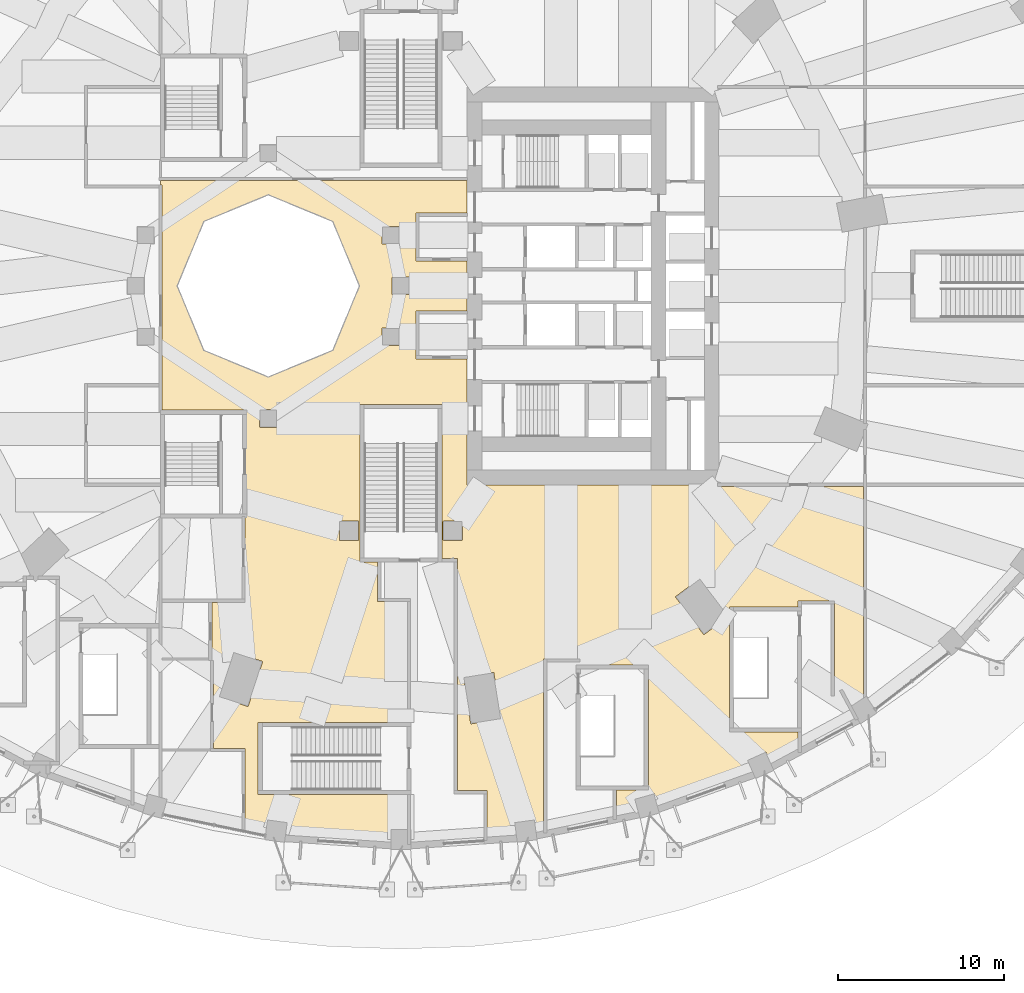
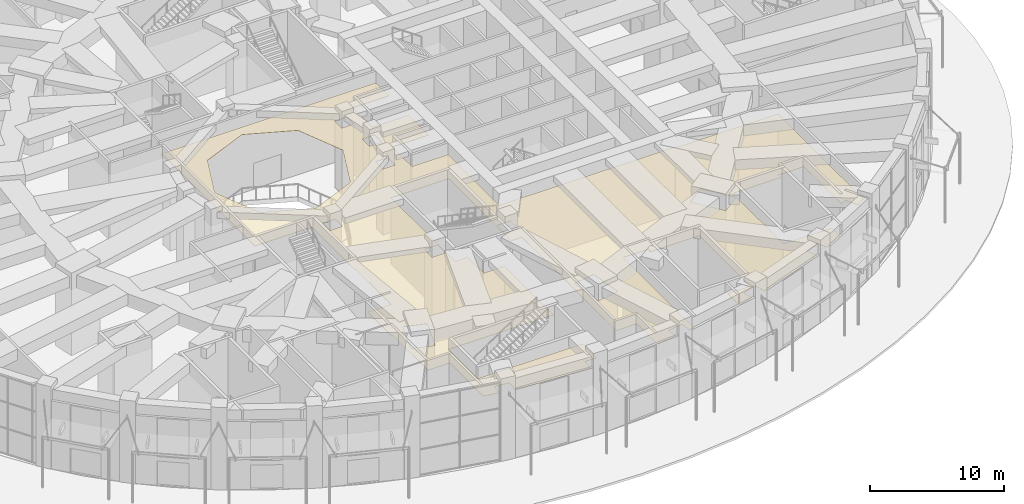
# One storey, part 52 of 60: 1 covering.
"""IFC4 building model written with IfcOpenShell, lengths in metres."""

import ifcopenshell
import ifcopenshell.guid

model = None  # the IFC model being written
_history = None  # IfcOwnerHistory: only IFC2X3 demands one
_inside = {}  # id of a spatial element -> (the spatial element, [elements in it])
_under = {}  # id of a project, library or spatial element -> (it, [spatial elements below it])
_declared = {}  # id of a project -> (the project, [libraries it declares])
_typed = {}  # id of a type object -> (the type object, [elements of that type])
_made_of = {}  # id of a material, layer set ... -> (it, [elements and type objects made of it])


def new_model(schema):
    """Start an empty IFC model of exactly this schema.

    Asked for "IFC4X3", IfcOpenShell would pick the latest addendum, in which some entities
    have other attributes; the version numbers below select the first issue.
    IFC2X3 requires an IfcOwnerHistory on every rooted entity: one is made here for all.
    """
    global model, _history
    if schema == "IFC4X3":
        model = ifcopenshell.file(schema_version=(4, 3, 0, 0))
    else:
        model = ifcopenshell.file(schema=schema)
    _inside.clear()
    _under.clear()
    _declared.clear()
    _typed.clear()
    _made_of.clear()
    _history = None
    if model.schema == "IFC2X3":
        org = make("IfcOrganization", Name="unknown")
        user = make(
            "IfcPersonAndOrganization",
            ThePerson=make("IfcPerson", FamilyName="unknown"),
            TheOrganization=org,
        )
        app = make(
            "IfcApplication",
            ApplicationDeveloper=org,
            Version="unknown",
            ApplicationFullName="unknown",
            ApplicationIdentifier="unknown",
        )
        _history = make(
            "IfcOwnerHistory",
            OwningUser=user,
            OwningApplication=app,
            ChangeAction="ADDED",
            CreationDate=0,
        )
    return model


def make(cls, **values):
    """One entity of the class cls with the attributes given. An attribute that is None is left unset."""
    return model.create_entity(
        cls, **{name: value for name, value in values.items() if value is not None}
    )


def rooted(cls, **values):
    """An entity with a GlobalId (a new one), such as an element, a storey or a relation."""
    return make(cls, GlobalId=ifcopenshell.guid.new(), OwnerHistory=_history, **values)


def si_unit(unit_type, name, prefix=None):
    """IfcSIUnit, for example si_unit("LENGTHUNIT", "METRE", prefix="MILLI")."""
    return make("IfcSIUnit", UnitType=unit_type, Prefix=prefix, Name=name)


def assignment(units):
    """IfcUnitAssignment: the units of a project."""
    return None if units is None else make("IfcUnitAssignment", Units=units)


def point(xyz):
    """IfcCartesianPoint."""
    return None if xyz is None else make("IfcCartesianPoint", Coordinates=xyz)


def direction(xyz):
    """IfcDirection."""
    return None if xyz is None else make("IfcDirection", DirectionRatios=xyz)


def frame(location, z_axis=None, x_axis=None):
    """IfcAxis2Placement3D, a coordinate frame: its origin and axes. An axis left out is left unset."""
    return make(
        "IfcAxis2Placement3D",
        Location=point(location),
        Axis=direction(z_axis),
        RefDirection=direction(x_axis),
    )


def origin():
    """The frame at (0, 0, 0) with its axes left unset."""
    return frame((0.0, 0.0, 0.0))


def place(relative_to, where):
    """IfcLocalPlacement: puts the frame where relative to a parent placement (None: the world)."""
    return make(
        "IfcLocalPlacement", PlacementRelTo=relative_to, RelativePlacement=where
    )


def context(
    kind, dimensions, precision=None, world=None, true_north=None, identifier=None
):
    """IfcGeometricRepresentationContext, for example the 3D "Model" context."""
    return make(
        "IfcGeometricRepresentationContext",
        ContextIdentifier=identifier,
        ContextType=kind,
        CoordinateSpaceDimension=dimensions,
        Precision=precision,
        WorldCoordinateSystem=world,
        TrueNorth=true_north,
    )


def subcontext(parent, identifier, kind, view, scale=None):
    """IfcGeometricRepresentationSubContext, for example "Body" below "Model"."""
    return make(
        "IfcGeometricRepresentationSubContext",
        ContextIdentifier=identifier,
        ContextType=kind,
        ParentContext=parent,
        TargetScale=scale,
        TargetView=view,
    )


def project(units=None, contexts=None):
    """IfcProject with its units and contexts."""
    return rooted(
        "IfcProject",
        Name="project",
        RepresentationContexts=contexts,
        UnitsInContext=assignment(units),
    )


def spatial(cls, under=None, at=None, **own):
    """A site, building, storey or space (cls), placed at a placement, below another one or the project."""
    s = rooted(cls, ObjectPlacement=at, **own)
    if under is not None:
        _under.setdefault(under.id(), (under, []))[1].append(s)
    return s


def polyline(points):
    """IfcPolyline through the points."""
    return make("IfcPolyline", Points=[point(p) for p in points])


def outline(outer, holes=None, kind="AREA"):
    """IfcArbitraryClosedProfileDef: a profile drawn as a closed curve; with holes, ...WithVoids."""
    if holes is None:
        return make("IfcArbitraryClosedProfileDef", ProfileType=kind, OuterCurve=outer)
    return make(
        "IfcArbitraryProfileDefWithVoids",
        ProfileType=kind,
        OuterCurve=outer,
        InnerCurves=holes,
    )


def extrude(swept, where, along, depth):
    """IfcExtrudedAreaSolid: the profile swept, set in the frame where, extruded along a direction by depth."""
    return make(
        "IfcExtrudedAreaSolid",
        SweptArea=swept,
        Position=where,
        ExtrudedDirection=direction(along),
        Depth=depth,
    )


def shape(context_of_items, identifier, shape_type, items):
    """IfcShapeRepresentation: the items that make up one representation, for example the "Body"."""
    return make(
        "IfcShapeRepresentation",
        ContextOfItems=context_of_items,
        RepresentationIdentifier=identifier,
        RepresentationType=shape_type,
        Items=items,
    )


def material(Name=None, Category=None):
    """IfcMaterial."""
    return make("IfcMaterial", Name=Name, Category=Category)


def layer(
    of_material, thickness, ventilated=None, Name=None, Category=None, Priority=None
):
    """IfcMaterialLayer: one layer of a wall or slab, of a material (None: an air gap)."""
    return make(
        "IfcMaterialLayer",
        Material=of_material,
        LayerThickness=thickness,
        IsVentilated=ventilated,
        Name=Name,
        Category=Category,
        Priority=Priority,
    )


def layer_set(layers, Name=None):
    """IfcMaterialLayerSet."""
    return make("IfcMaterialLayerSet", MaterialLayers=layers, LayerSetName=Name)


def made_of(thing, what):
    """Note that an element or type object is made of a material, layer set ...; save() writes the relation."""
    if what is not None:
        _made_of.setdefault(what.id(), (what, []))[1].append(thing)
    return thing


def type_object(cls, material=None, **own):
    """A type object (cls), such as IfcWallType, which elements share."""
    return made_of(rooted(cls, **own), material)


def element(
    cls,
    number,
    at=None,
    inside=None,
    cuts=None,
    type_object=None,
    material=None,
    context=None,
    identifier="Body",
    shape_type=None,
    held_by="IfcProductDefinitionShape",
    body=None,
    shapes=None,
    **own,
):
    """One element of the class cls, such as IfcWall. Its Tag is "e" and its number.

    at: its placement. inside: the storey or other place that contains it. cuts: it is an
    opening in that element (IfcRelVoidsElement). A single representation is given by context,
    identifier, shape_type and body (its items); several are given by shapes. held_by: the class
    of the entity that holds the representations. save() writes the other relations.
    """
    e = rooted(cls, Tag="e%d" % number, ObjectPlacement=at, **own)
    if body is not None:
        shapes = [shape(context, identifier, shape_type, body)]
    if shapes is not None:
        e.Representation = make(held_by, Representations=shapes)
    if inside is not None:
        _inside.setdefault(inside.id(), (inside, []))[1].append(e)
    if cuts is not None:
        rooted(
            "IfcRelVoidsElement", RelatingBuildingElement=cuts, RelatedOpeningElement=e
        )
    if type_object is not None:
        _typed.setdefault(type_object.id(), (type_object, []))[1].append(e)
    return made_of(e, material)


def aggregate(whole, parts):
    """IfcRelAggregates: a whole, such as a stair, and the parts it consists of."""
    return rooted("IfcRelAggregates", RelatingObject=whole, RelatedObjects=parts)


def save(model, path):
    """Write the relations noted so far, then the file.

    IfcRelAggregates (storeys below a building ...), IfcRelContainedInSpatialStructure (elements
    in a storey), IfcRelDefinesByType, IfcRelAssociatesMaterial and IfcRelDeclares: one each for
    every whole, place, type object, material and project.
    """
    for whole, parts in _under.values():
        aggregate(whole, parts)
    for where, things in _inside.values():
        rooted(
            "IfcRelContainedInSpatialStructure",
            RelatedElements=things,
            RelatingStructure=where,
        )
    for kind, things in _typed.values():
        rooted("IfcRelDefinesByType", RelatedObjects=things, RelatingType=kind)
    for what, things in _made_of.values():
        rooted("IfcRelAssociatesMaterial", RelatedObjects=things, RelatingMaterial=what)
    for by, libraries in _declared.values():
        rooted("IfcRelDeclares", RelatingContext=by, RelatedDefinitions=libraries)
    model.write(path)


model = new_model("IFC4")

# Units and contexts
model_context = context("Model", 3, precision=1e-05, world=origin(), true_north=direction((0.0, 1.0)))
body_context = subcontext(model_context, "Body", "Model", "MODEL_VIEW")
ifc_project = project(units=[si_unit("LENGTHUNIT", "METRE"), si_unit("AREAUNIT", "SQUARE_METRE"), si_unit("VOLUMEUNIT", "CUBIC_METRE"), si_unit("PLANEANGLEUNIT", "RADIAN"), si_unit("MASSUNIT", "GRAM", prefix="KILO")], contexts=[model_context])

# Site, building, storey
site_placement = place(None, origin())
site = spatial("IfcSite", under=ifc_project, at=site_placement, CompositionType="ELEMENT")
building_placement = place(site_placement, origin())
building = spatial("IfcBuilding", under=site, at=building_placement, Name="Taillehof Tower", CompositionType="ELEMENT")
storey_placement = place(building_placement, origin())
storey = spatial("IfcBuildingStorey", under=building, at=storey_placement, Name="L00", CompositionType="ELEMENT", Elevation=0.0)

# Covering
ifc_material = material(Name="Mineral fibre ceiling tiles")
ifc_layer = layer(ifc_material, 0.030029296875)
ifc_layer_set = layer_set([ifc_layer], Name="Suspended ceiling 30 mm")
covering_type = type_object("IfcCoveringType", Name="Suspended ceiling 30 mm", PredefinedType="CEILING", material=ifc_layer_set)
covering_placement = place(storey_placement, frame((0.0, 0.0, 6.010009765625)))
element("IfcCovering", 1, at=covering_placement, inside=storey, type_object=covering_type, Name="Ceiling L00-36", PredefinedType="CEILING", context=body_context, shape_type="SweptSolid", body=[
    extrude(outline(polyline([(-3.806640625, -33.572021484375), (-6.94970703125, -33.253173828125), (-6.8310546875, -32.383056640625), (-6.830810546875, -32.380126953125), (-6.830810546875, -32.377197265625), (-6.831298828125, -32.374267578125), (-6.831787109375, -32.371337890625), (-6.832763671875, -32.36865234375), (-6.833740234375, -32.365966796875), (-6.835205078125, -32.36328125), (-6.8369140625, -32.36083984375), (-6.8388671875, -32.358642578125), (-6.8408203125, -32.356689453125), (-6.84326171875, -32.354736328125), (-6.845703125, -32.353271484375), (-6.848388671875, -32.351806640625), (-6.85107421875, -32.350830078125), (-6.853759765625, -32.349853515625), (-6.856689453125, -32.349365234375), (-8.0458984375, -32.187255859375), (-8.048828125, -32.18701171875), (-8.0517578125, -32.18701171875), (-8.0546875, -32.1875), (-8.057373046875, -32.18798828125), (-8.060302734375, -32.18896484375), (-8.06298828125, -32.190185546875), (-8.065673828125, -32.19140625), (-8.06787109375, -32.193115234375), (-8.0703125, -32.195068359375), (-8.072265625, -32.197265625), (-8.07421875, -32.199462890625), (-8.07568359375, -32.201904296875), (-8.0771484375, -32.20458984375), (-8.078125, -32.207275390625), (-8.0791015625, -32.210205078125), (-8.07958984375, -32.213134765625), (-8.1982421875, -33.083740234375), (-9.39990234375, -32.87841796875), (-9.39990234375, -28.10009765625), (-9.39990234375, -27.89990234375), (-11.300048828125, -27.89990234375), (-11.300048828125, -22.60009765625), (-11.39990234375, -22.60009765625), (-11.39990234375, -22.5), (-11.39990234375, -19.10009765625), (-9.39990234375, -19.10009765625), (-9.39990234375, -18.89990234375), (-9.39990234375, -13.89990234375), (-9.5, -13.89990234375), (-9.5, -7.5), (-14.39990234375, -7.5), (-14.39990234375, -6.10009765625), (-14.39990234375, 6.10009765625), (-14.5, 6.10009765625), (-14.5, 6.35009765625), (4.0, 6.35009765625), (4.0, 4.39990234375), (1.10009765625, 4.39990234375), (0.89990234375, 4.39990234375), (0.89990234375, 1.699951171875), (0.89990234375, 1.5), (4.0, 1.5), (4.0, -1.5), (1.10009765625, -1.5), (0.89990234375, -1.5), (0.89990234375, -4.199951171875), (0.89990234375, -4.39990234375), (4.0, -4.39990234375), (4.0, -12.0), (19.10009765625, -12.0), (19.10009765625, -12.10009765625), (27.89990234375, -12.10009765625), (27.89990234375, -24.8330078125), (27.16064453125, -25.3125), (26.633056640625, -24.333740234375), (26.544921875, -24.381103515625), (26.14990234375, -24.593994140625), (26.14990234375, -19.199951171875), (26.14990234375, -19.0), (24.14990234375, -19.0), (23.949951171875, -19.0), (23.949951171875, -19.375), (20.074951171875, -19.375), (19.824951171875, -19.375), (19.824951171875, -26.6650390625), (19.824951171875, -26.9150390625), (23.949951171875, -26.9150390625), (23.949951171875, -28.154296875), (22.387939453125, -28.921142578125), (22.031005859375, -28.12060546875), (22.029541015625, -28.117919921875), (22.028076171875, -28.115478515625), (22.026123046875, -28.11328125), (22.024169921875, -28.111083984375), (22.02197265625, -28.109130859375), (22.01953125, -28.107421875), (22.016845703125, -28.10595703125), (22.01416015625, -28.104736328125), (22.011474609375, -28.10400390625), (22.008544921875, -28.103271484375), (22.005615234375, -28.10302734375), (22.002685546875, -28.102783203125), (21.999755859375, -28.10302734375), (21.996826171875, -28.103515625), (21.993896484375, -28.1044921875), (21.9912109375, -28.10546875), (20.895263671875, -28.594482421875), (20.892822265625, -28.595703125), (20.890380859375, -28.59716796875), (20.887939453125, -28.59912109375), (20.8857421875, -28.60107421875), (20.8837890625, -28.603271484375), (20.88232421875, -28.605712890625), (20.880859375, -28.6083984375), (20.879638671875, -28.611083984375), (20.878662109375, -28.61376953125), (20.8779296875, -28.61669921875), (20.877685546875, -28.61962890625), (20.877685546875, -28.62255859375), (20.8779296875, -28.62548828125), (20.87841796875, -28.62841796875), (20.879150390625, -28.63134765625), (20.880126953125, -28.634033203125), (21.236328125, -29.432373046875), (18.4599609375, -30.546142578125), (15.525390625, -31.48291015625), (15.28759765625, -30.6376953125), (15.286865234375, -30.634765625), (15.28564453125, -30.632080078125), (15.2841796875, -30.629638671875), (15.282470703125, -30.627197265625), (15.280517578125, -30.625), (15.2783203125, -30.622802734375), (15.27587890625, -30.62109375), (15.2734375, -30.61962890625), (15.270751953125, -30.6181640625), (15.26806640625, -30.6171875), (15.265380859375, -30.616455078125), (15.262451171875, -30.615966796875), (15.259521484375, -30.61572265625), (15.256591796875, -30.61572265625), (15.253662109375, -30.6162109375), (15.250732421875, -30.61669921875), (14.095458984375, -30.941650390625), (14.0927734375, -30.942626953125), (14.090087890625, -30.94384765625), (14.08740234375, -30.9453125), (14.0849609375, -30.947021484375), (14.082763671875, -30.948974609375), (14.080810546875, -30.951171875), (14.0791015625, -30.953369140625), (14.077392578125, -30.955810546875), (14.076171875, -30.95849609375), (14.0751953125, -30.961181640625), (14.07421875, -30.964111328125), (14.07373046875, -30.967041015625), (14.07373046875, -30.969970703125), (14.07373046875, -30.972900390625), (14.07421875, -30.975830078125), (14.07470703125, -30.978759765625), (14.31201171875, -31.822265625), (12.99853515625, -32.1416015625), (12.99853515625, -30.4150390625), (14.925048828125, -30.4150390625), (14.925048828125, -30.1650390625), (14.925048828125, -23.125), (14.925048828125, -22.875), (10.699951171875, -22.875), (10.699951171875, -22.699951171875), (10.800048828125, -22.699951171875), (10.800048828125, -22.5), (8.800048828125, -22.5), (8.60009765625, -22.5), (8.60009765625, -33.01513671875), (8.1982421875, -33.083740234375), (8.07958984375, -32.213134765625), (8.0791015625, -32.210205078125), (8.078125, -32.207275390625), (8.0771484375, -32.20458984375), (8.07568359375, -32.201904296875), (8.07421875, -32.199462890625), (8.072265625, -32.197265625), (8.0703125, -32.195068359375), (8.06787109375, -32.193115234375), (8.065673828125, -32.19140625), (8.06298828125, -32.190185546875), (8.060302734375, -32.18896484375), (8.057373046875, -32.18798828125), (8.0546875, -32.1875), (8.0517578125, -32.18701171875), (8.048828125, -32.18701171875), (8.0458984375, -32.187255859375), (6.856689453125, -32.349365234375), (6.853759765625, -32.349853515625), (6.85107421875, -32.350830078125), (6.848388671875, -32.351806640625), (6.845703125, -32.353271484375), (6.84326171875, -32.354736328125), (6.8408203125, -32.356689453125), (6.8388671875, -32.358642578125), (6.8369140625, -32.36083984375), (6.835205078125, -32.36328125), (6.833740234375, -32.365966796875), (6.832763671875, -32.36865234375), (6.831787109375, -32.371337890625), (6.831298828125, -32.374267578125), (6.830810546875, -32.377197265625), (6.830810546875, -32.380126953125), (6.8310546875, -32.383056640625), (6.94970703125, -33.253173828125), (5.199951171875, -33.4306640625), (5.199951171875, -30.64990234375), (5.199951171875, -30.449951171875), (3.39990234375, -30.449951171875), (3.39990234375, -16.64501953125), (3.39990234375, -16.445068359375), (2.47509765625, -16.445068359375), (2.47509765625, -7.39990234375), (2.47509765625, -7.14990234375), (-2.22509765625, -7.14990234375), (-2.22509765625, -7.14990234375), (-2.47509765625, -7.14990234375), (-2.47509765625, -16.419921875), (-2.47509765625, -16.669921875), (-1.39990234375, -16.669921875), (-1.39990234375, -18.844970703125), (-1.39990234375, -19.044921875), (0.385009765625, -19.044921875), (0.385009765625, -26.324951171875), (-8.360107421875, -26.324951171875), (-8.610107421875, -26.324951171875), (-8.610107421875, -30.425048828125), (-8.610107421875, -30.675048828125), (0.385009765625, -30.675048828125), (0.385009765625, -32.77001953125), (-0.60009765625, -32.77001953125), (-0.60302734375, -32.770263671875), (-0.60595703125, -32.7705078125), (-0.608642578125, -32.771240234375), (-0.611572265625, -32.772216796875), (-0.6142578125, -32.7734375), (-0.61669921875, -32.775146484375), (-0.619140625, -32.77685546875), (-0.62109375, -32.77880859375), (-0.623291015625, -32.781005859375), (-0.625, -32.783447265625), (-0.62646484375, -32.785888671875), (-0.627685546875, -32.78857421875), (-0.628662109375, -32.791259765625), (-0.62939453125, -32.794189453125), (-0.6298828125, -32.797119140625), (-0.6298828125, -32.800048828125), (-0.6298828125, -33.678955078125), (-3.806640625, -33.572021484375)]), holes=[polyline([(-13.5, 0.0), (-11.88916015625, -3.88916015625), (-8.0, -5.5), (-4.11083984375, -3.88916015625), (-2.5, 0.0), (-4.11083984375, 3.88916015625), (-8.0, 5.5), (-11.88916015625, 3.88916015625), (-13.5, 0.0)]), polyline([(3.768798828125, -23.6171875), (3.768310546875, -23.619873046875), (3.76806640625, -23.622802734375), (3.76806640625, -23.6259765625), (3.768310546875, -23.62890625), (4.20556640625, -26.39453125), (4.2060546875, -26.397216796875), (4.20703125, -26.400146484375), (4.208251953125, -26.40283203125), (4.209716796875, -26.405517578125), (4.211181640625, -26.407958984375), (4.213134765625, -26.41015625), (4.21533203125, -26.412109375), (4.217529296875, -26.4140625), (4.219970703125, -26.41552734375), (4.22265625, -26.4169921875), (4.225341796875, -26.418212890625), (4.228271484375, -26.4189453125), (4.231201171875, -26.41943359375), (4.234130859375, -26.419677734375), (4.237060546875, -26.419677734375), (4.239990234375, -26.41943359375), (6.017822265625, -26.138427734375), (6.020751953125, -26.1376953125), (6.0234375, -26.13671875), (6.026123046875, -26.1357421875), (6.02880859375, -26.13427734375), (6.03125, -26.132568359375), (6.033447265625, -26.130615234375), (6.03564453125, -26.128662109375), (6.037353515625, -26.126220703125), (6.0390625, -26.123779296875), (6.040283203125, -26.121337890625), (6.04150390625, -26.118408203125), (6.042236328125, -26.11572265625), (6.042724609375, -26.11279296875), (6.043212890625, -26.10986328125), (6.04296875, -26.10693359375), (6.042724609375, -26.10400390625), (5.60546875, -23.33837890625), (5.60498046875, -23.33544921875), (5.60400390625, -23.332763671875), (5.60302734375, -23.329833984375), (5.6015625, -23.327392578125), (5.599853515625, -23.324951171875), (5.597900390625, -23.32275390625), (5.595947265625, -23.320556640625), (5.593505859375, -23.31884765625), (5.591064453125, -23.317138671875), (5.58837890625, -23.315673828125), (5.585693359375, -23.314697265625), (5.5830078125, -23.31396484375), (5.580078125, -23.313232421875), (5.5771484375, -23.31298828125), (5.57421875, -23.31298828125), (5.5712890625, -23.3134765625), (3.793212890625, -23.594482421875), (3.79052734375, -23.594970703125), (3.78759765625, -23.595947265625), (3.784912109375, -23.59716796875), (3.7822265625, -23.5986328125), (3.77978515625, -23.60009765625), (3.777587890625, -23.60205078125), (3.775634765625, -23.604248046875), (3.773681640625, -23.6064453125), (3.772216796875, -23.60888671875), (3.770751953125, -23.611572265625), (3.76953125, -23.6142578125), (3.768798828125, -23.6171875)]), polyline([(-10.106201171875, -22.09765625), (-10.10791015625, -22.099853515625), (-10.109619140625, -22.1025390625), (-10.11083984375, -22.10498046875), (-10.11181640625, -22.10791015625), (-10.98046875, -24.769775390625), (-10.981201171875, -24.7724609375), (-10.981689453125, -24.775390625), (-10.98193359375, -24.7783203125), (-10.98193359375, -24.78125), (-10.9814453125, -24.7841796875), (-10.98095703125, -24.787109375), (-10.97998046875, -24.789794921875), (-10.978759765625, -24.79248046875), (-10.977294921875, -24.795166015625), (-10.9755859375, -24.797607421875), (-10.9736328125, -24.7998046875), (-10.971435546875, -24.8017578125), (-10.96923828125, -24.803466796875), (-10.966552734375, -24.80517578125), (-10.964111328125, -24.806396484375), (-10.961181640625, -24.807373046875), (-9.25, -25.365966796875), (-9.247314453125, -25.36669921875), (-9.244384765625, -25.3671875), (-9.241455078125, -25.367431640625), (-9.238525390625, -25.3671875), (-9.235595703125, -25.366943359375), (-9.232666015625, -25.3662109375), (-9.22998046875, -25.365234375), (-9.227294921875, -25.364013671875), (-9.224609375, -25.362548828125), (-9.22216796875, -25.36083984375), (-9.219970703125, -25.359130859375), (-9.218017578125, -25.35693359375), (-9.21630859375, -25.3544921875), (-9.214599609375, -25.35205078125), (-9.21337890625, -25.349365234375), (-9.212158203125, -25.3466796875), (-8.34375, -22.684814453125), (-8.3427734375, -22.681884765625), (-8.34228515625, -22.678955078125), (-8.34228515625, -22.676025390625), (-8.34228515625, -22.673095703125), (-8.342529296875, -22.670166015625), (-8.34326171875, -22.66748046875), (-8.34423828125, -22.66455078125), (-8.345458984375, -22.661865234375), (-8.346923828125, -22.659423828125), (-8.3486328125, -22.656982421875), (-8.3505859375, -22.65478515625), (-8.3525390625, -22.65283203125), (-8.35498046875, -22.65087890625), (-8.357421875, -22.6494140625), (-8.360107421875, -22.64794921875), (-8.36279296875, -22.64697265625), (-10.073974609375, -22.088623046875), (-10.076904296875, -22.087890625), (-10.079833984375, -22.08740234375), (-10.082763671875, -22.087158203125), (-10.085693359375, -22.087158203125), (-10.088623046875, -22.087646484375), (-10.091552734375, -22.088134765625), (-10.09423828125, -22.089111328125), (-10.096923828125, -22.09033203125), (-10.099609375, -22.091796875), (-10.101806640625, -22.093505859375), (-10.10400390625, -22.095458984375), (-10.106201171875, -22.09765625)]), polyline([(-3.687255859375, -15.349853515625), (-3.684326171875, -15.350830078125), (-3.681640625, -15.3515625), (-3.6787109375, -15.35205078125), (-3.67578125, -15.35205078125), (-2.57568359375, -15.35205078125), (-2.57275390625, -15.35205078125), (-2.56982421875, -15.3515625), (-2.56689453125, -15.350830078125), (-2.564208984375, -15.349853515625), (-2.5615234375, -15.3486328125), (-2.55908203125, -15.34716796875), (-2.556640625, -15.34521484375), (-2.554443359375, -15.34326171875), (-2.552490234375, -15.341064453125), (-2.55078125, -15.3388671875), (-2.54931640625, -15.336181640625), (-2.5478515625, -15.33349609375), (-2.546875, -15.330810546875), (-2.546142578125, -15.327880859375), (-2.5458984375, -15.324951171875), (-2.545654296875, -15.322021484375), (-2.545654296875, -14.22216796875), (-2.5458984375, -14.21923828125), (-2.546142578125, -14.21630859375), (-2.546875, -14.21337890625), (-2.5478515625, -14.210693359375), (-2.54931640625, -14.2080078125), (-2.55078125, -14.20556640625), (-2.552490234375, -14.203125), (-2.554443359375, -14.200927734375), (-2.556640625, -14.198974609375), (-2.55908203125, -14.197265625), (-2.5615234375, -14.195556640625), (-2.564208984375, -14.1943359375), (-2.56689453125, -14.193359375), (-2.56982421875, -14.192626953125), (-2.57275390625, -14.1923828125), (-2.57568359375, -14.192138671875), (-3.67578125, -14.192138671875), (-3.6787109375, -14.1923828125), (-3.681640625, -14.192626953125), (-3.684326171875, -14.193359375), (-3.687255859375, -14.1943359375), (-3.689697265625, -14.195556640625), (-3.6923828125, -14.197265625), (-3.694580078125, -14.198974609375), (-3.69677734375, -14.200927734375), (-3.698974609375, -14.203125), (-3.70068359375, -14.20556640625), (-3.7021484375, -14.2080078125), (-3.703369140625, -14.210693359375), (-3.704345703125, -14.21337890625), (-3.705078125, -14.21630859375), (-3.70556640625, -14.21923828125), (-3.70556640625, -14.22216796875), (-3.70556640625, -15.322021484375), (-3.70556640625, -15.324951171875), (-3.705078125, -15.327880859375), (-3.704345703125, -15.330810546875), (-3.703369140625, -15.33349609375), (-3.7021484375, -15.336181640625), (-3.70068359375, -15.3388671875), (-3.698974609375, -15.341064453125), (-3.69677734375, -15.34326171875), (-3.694580078125, -15.34521484375), (-3.6923828125, -15.34716796875), (-3.689697265625, -15.3486328125), (-3.687255859375, -15.349853515625)]), polyline([(2.564208984375, -15.349853515625), (2.56689453125, -15.350830078125), (2.56982421875, -15.3515625), (2.57275390625, -15.35205078125), (2.57568359375, -15.35205078125), (3.67578125, -15.35205078125), (3.6787109375, -15.35205078125), (3.681640625, -15.3515625), (3.684326171875, -15.350830078125), (3.687255859375, -15.349853515625), (3.689697265625, -15.3486328125), (3.6923828125, -15.34716796875), (3.694580078125, -15.34521484375), (3.69677734375, -15.34326171875), (3.698974609375, -15.341064453125), (3.70068359375, -15.3388671875), (3.7021484375, -15.336181640625), (3.703369140625, -15.33349609375), (3.704345703125, -15.330810546875), (3.705078125, -15.327880859375), (3.70556640625, -15.324951171875), (3.70556640625, -15.322021484375), (3.70556640625, -14.22216796875), (3.70556640625, -14.21923828125), (3.705078125, -14.21630859375), (3.704345703125, -14.21337890625), (3.703369140625, -14.210693359375), (3.7021484375, -14.2080078125), (3.70068359375, -14.20556640625), (3.698974609375, -14.203125), (3.69677734375, -14.200927734375), (3.694580078125, -14.198974609375), (3.6923828125, -14.197265625), (3.689697265625, -14.195556640625), (3.687255859375, -14.1943359375), (3.684326171875, -14.193359375), (3.681640625, -14.192626953125), (3.6787109375, -14.1923828125), (3.67578125, -14.192138671875), (2.57568359375, -14.192138671875), (2.57275390625, -14.1923828125), (2.56982421875, -14.192626953125), (2.56689453125, -14.193359375), (2.564208984375, -14.1943359375), (2.5615234375, -14.195556640625), (2.55908203125, -14.197265625), (2.556640625, -14.198974609375), (2.554443359375, -14.200927734375), (2.552490234375, -14.203125), (2.55078125, -14.20556640625), (2.54931640625, -14.2080078125), (2.5478515625, -14.210693359375), (2.546875, -14.21337890625), (2.546142578125, -14.21630859375), (2.5458984375, -14.21923828125), (2.545654296875, -14.22216796875), (2.545654296875, -15.322021484375), (2.5458984375, -15.324951171875), (2.546142578125, -15.327880859375), (2.546875, -15.330810546875), (2.5478515625, -15.33349609375), (2.54931640625, -15.336181640625), (2.55078125, -15.3388671875), (2.552490234375, -15.341064453125), (2.554443359375, -15.34326171875), (2.556640625, -15.34521484375), (2.55908203125, -15.34716796875), (2.5615234375, -15.3486328125), (2.564208984375, -15.349853515625)]), polyline([(-8.511474609375, -8.52783203125), (-8.5087890625, -8.52880859375), (-8.505859375, -8.529541015625), (-8.5029296875, -8.52978515625), (-8.5, -8.530029296875), (-7.5, -8.530029296875), (-7.4970703125, -8.52978515625), (-7.494140625, -8.529541015625), (-7.4912109375, -8.52880859375), (-7.488525390625, -8.52783203125), (-7.48583984375, -8.5263671875), (-7.4833984375, -8.52490234375), (-7.48095703125, -8.523193359375), (-7.478759765625, -8.521240234375), (-7.476806640625, -8.51904296875), (-7.47509765625, -8.5166015625), (-7.4736328125, -8.51416015625), (-7.47216796875, -8.511474609375), (-7.47119140625, -8.5087890625), (-7.470458984375, -8.505859375), (-7.47021484375, -8.5029296875), (-7.469970703125, -8.5), (-7.469970703125, -7.5), (-7.47021484375, -7.4970703125), (-7.470458984375, -7.494140625), (-7.47119140625, -7.4912109375), (-7.47216796875, -7.488525390625), (-7.4736328125, -7.48583984375), (-7.47509765625, -7.4833984375), (-7.476806640625, -7.48095703125), (-7.478759765625, -7.478759765625), (-7.48095703125, -7.476806640625), (-7.4833984375, -7.47509765625), (-7.48583984375, -7.4736328125), (-7.488525390625, -7.47216796875), (-7.4912109375, -7.47119140625), (-7.494140625, -7.470458984375), (-7.4970703125, -7.47021484375), (-7.5, -7.469970703125), (-8.5, -7.469970703125), (-8.5029296875, -7.47021484375), (-8.505859375, -7.470458984375), (-8.5087890625, -7.47119140625), (-8.511474609375, -7.47216796875), (-8.51416015625, -7.4736328125), (-8.5166015625, -7.47509765625), (-8.51904296875, -7.476806640625), (-8.521240234375, -7.478759765625), (-8.523193359375, -7.48095703125), (-8.52490234375, -7.4833984375), (-8.5263671875, -7.48583984375), (-8.52783203125, -7.488525390625), (-8.52880859375, -7.4912109375), (-8.529541015625, -7.494140625), (-8.52978515625, -7.4970703125), (-8.530029296875, -7.5), (-8.530029296875, -8.5), (-8.52978515625, -8.5029296875), (-8.529541015625, -8.505859375), (-8.52880859375, -8.5087890625), (-8.52783203125, -8.511474609375), (-8.5263671875, -8.51416015625), (-8.52490234375, -8.5166015625), (-8.523193359375, -8.51904296875), (-8.521240234375, -8.521240234375), (-8.51904296875, -8.523193359375), (-8.5166015625, -8.52490234375), (-8.51416015625, -8.5263671875), (-8.511474609375, -8.52783203125)]), polyline([(-1.120361328125, -3.589111328125), (-1.11767578125, -3.590087890625), (-1.11474609375, -3.5908203125), (-1.11181640625, -3.59130859375), (-1.10888671875, -3.591552734375), (-0.10888671875, -3.591552734375), (-0.10595703125, -3.59130859375), (-0.10302734375, -3.5908203125), (-0.100341796875, -3.590087890625), (-0.097412109375, -3.589111328125), (-0.0947265625, -3.587890625), (-0.09228515625, -3.58642578125), (-0.08984375, -3.584716796875), (-0.087646484375, -3.582763671875), (-0.085693359375, -3.58056640625), (-0.083984375, -3.578125), (-0.08251953125, -3.57568359375), (-0.081298828125, -3.572998046875), (-0.080322265625, -3.570068359375), (-0.07958984375, -3.5673828125), (-0.0791015625, -3.564453125), (-0.078857421875, -3.5615234375), (-0.078857421875, -2.5615234375), (-0.0791015625, -2.55859375), (-0.07958984375, -2.5556640625), (-0.080322265625, -2.552734375), (-0.081298828125, -2.550048828125), (-0.08251953125, -2.54736328125), (-0.083984375, -2.544921875), (-0.085693359375, -2.54248046875), (-0.087646484375, -2.540283203125), (-0.08984375, -2.538330078125), (-0.09228515625, -2.53662109375), (-0.0947265625, -2.534912109375), (-0.097412109375, -2.53369140625), (-0.100341796875, -2.53271484375), (-0.10302734375, -2.531982421875), (-0.10595703125, -2.531494140625), (-0.10888671875, -2.531494140625), (-1.10888671875, -2.531494140625), (-1.11181640625, -2.531494140625), (-1.11474609375, -2.531982421875), (-1.11767578125, -2.53271484375), (-1.120361328125, -2.53369140625), (-1.123046875, -2.534912109375), (-1.125732421875, -2.53662109375), (-1.1279296875, -2.538330078125), (-1.130126953125, -2.540283203125), (-1.132080078125, -2.54248046875), (-1.1337890625, -2.544921875), (-1.135498046875, -2.54736328125), (-1.13671875, -2.550048828125), (-1.1376953125, -2.552734375), (-1.138427734375, -2.5556640625), (-1.138916015625, -2.55859375), (-1.138916015625, -2.5615234375), (-1.138916015625, -3.5615234375), (-1.138916015625, -3.564453125), (-1.138427734375, -3.5673828125), (-1.1376953125, -3.570068359375), (-1.13671875, -3.572998046875), (-1.135498046875, -3.57568359375), (-1.1337890625, -3.578125), (-1.132080078125, -3.58056640625), (-1.130126953125, -3.582763671875), (-1.1279296875, -3.584716796875), (-1.125732421875, -3.58642578125), (-1.123046875, -3.587890625), (-1.120361328125, -3.589111328125)]), polyline([(-0.5087890625, -0.52880859375), (-0.505859375, -0.529541015625), (-0.5029296875, -0.52978515625), (-0.5, -0.530029296875), (0.5, -0.530029296875), (0.5029296875, -0.52978515625), (0.505859375, -0.529541015625), (0.5087890625, -0.52880859375), (0.511474609375, -0.52783203125), (0.51416015625, -0.5263671875), (0.5166015625, -0.52490234375), (0.51904296875, -0.523193359375), (0.521240234375, -0.521240234375), (0.523193359375, -0.51904296875), (0.52490234375, -0.5166015625), (0.5263671875, -0.51416015625), (0.52783203125, -0.511474609375), (0.52880859375, -0.5087890625), (0.529541015625, -0.505859375), (0.52978515625, -0.5029296875), (0.530029296875, -0.5), (0.530029296875, 0.5), (0.52978515625, 0.5029296875), (0.529541015625, 0.505859375), (0.52880859375, 0.5087890625), (0.52783203125, 0.511474609375), (0.5263671875, 0.51416015625), (0.52490234375, 0.5166015625), (0.523193359375, 0.51904296875), (0.521240234375, 0.521240234375), (0.51904296875, 0.523193359375), (0.5166015625, 0.52490234375), (0.51416015625, 0.5263671875), (0.511474609375, 0.52783203125), (0.5087890625, 0.52880859375), (0.505859375, 0.529541015625), (0.5029296875, 0.52978515625), (0.5, 0.530029296875), (-0.5, 0.530029296875), (-0.5029296875, 0.52978515625), (-0.505859375, 0.529541015625), (-0.5087890625, 0.52880859375), (-0.511474609375, 0.52783203125), (-0.51416015625, 0.5263671875), (-0.5166015625, 0.52490234375), (-0.51904296875, 0.523193359375), (-0.521240234375, 0.521240234375), (-0.523193359375, 0.51904296875), (-0.52490234375, 0.5166015625), (-0.5263671875, 0.51416015625), (-0.52783203125, 0.511474609375), (-0.52880859375, 0.5087890625), (-0.529541015625, 0.505859375), (-0.52978515625, 0.5029296875), (-0.530029296875, 0.5), (-0.530029296875, -0.5), (-0.52978515625, -0.5029296875), (-0.529541015625, -0.505859375), (-0.52880859375, -0.5087890625), (-0.52783203125, -0.511474609375), (-0.5263671875, -0.51416015625), (-0.52490234375, -0.5166015625), (-0.523193359375, -0.51904296875), (-0.521240234375, -0.521240234375), (-0.51904296875, -0.523193359375), (-0.5166015625, -0.52490234375), (-0.51416015625, -0.5263671875), (-0.511474609375, -0.52783203125), (-0.5087890625, -0.52880859375)]), polyline([(-1.120361328125, 2.53369140625), (-1.11767578125, 2.53271484375), (-1.11474609375, 2.531982421875), (-1.11181640625, 2.531494140625), (-1.10888671875, 2.531494140625), (-0.10888671875, 2.531494140625), (-0.10595703125, 2.531494140625), (-0.10302734375, 2.531982421875), (-0.100341796875, 2.53271484375), (-0.097412109375, 2.53369140625), (-0.0947265625, 2.534912109375), (-0.09228515625, 2.53662109375), (-0.08984375, 2.538330078125), (-0.087646484375, 2.540283203125), (-0.085693359375, 2.54248046875), (-0.083984375, 2.544921875), (-0.08251953125, 2.54736328125), (-0.081298828125, 2.550048828125), (-0.080322265625, 2.552734375), (-0.07958984375, 2.5556640625), (-0.0791015625, 2.55859375), (-0.078857421875, 2.5615234375), (-0.078857421875, 3.5615234375), (-0.0791015625, 3.564453125), (-0.07958984375, 3.5673828125), (-0.080322265625, 3.570068359375), (-0.081298828125, 3.572998046875), (-0.08251953125, 3.57568359375), (-0.083984375, 3.578125), (-0.085693359375, 3.58056640625), (-0.087646484375, 3.582763671875), (-0.08984375, 3.584716796875), (-0.09228515625, 3.58642578125), (-0.0947265625, 3.587890625), (-0.097412109375, 3.589111328125), (-0.100341796875, 3.590087890625), (-0.10302734375, 3.5908203125), (-0.10595703125, 3.59130859375), (-0.10888671875, 3.591552734375), (-1.10888671875, 3.591552734375), (-1.11181640625, 3.59130859375), (-1.11474609375, 3.5908203125), (-1.11767578125, 3.590087890625), (-1.120361328125, 3.589111328125), (-1.123046875, 3.587890625), (-1.125732421875, 3.58642578125), (-1.1279296875, 3.584716796875), (-1.130126953125, 3.582763671875), (-1.132080078125, 3.58056640625), (-1.1337890625, 3.578125), (-1.135498046875, 3.57568359375), (-1.13671875, 3.572998046875), (-1.1376953125, 3.570068359375), (-1.138427734375, 3.5673828125), (-1.138916015625, 3.564453125), (-1.138916015625, 3.5615234375), (-1.138916015625, 2.5615234375), (-1.138916015625, 2.55859375), (-1.138427734375, 2.5556640625), (-1.1376953125, 2.552734375), (-1.13671875, 2.550048828125), (-1.135498046875, 2.54736328125), (-1.1337890625, 2.544921875), (-1.132080078125, 2.54248046875), (-1.130126953125, 2.540283203125), (-1.1279296875, 2.538330078125), (-1.125732421875, 2.53662109375), (-1.123046875, 2.534912109375), (-1.120361328125, 2.53369140625)]), polyline([(16.56884765625, -18.7724609375), (16.56982421875, -18.775146484375), (16.57080078125, -18.77783203125), (16.572265625, -18.780517578125), (16.573974609375, -18.782958984375), (18.25732421875, -21.0205078125), (18.259033203125, -21.022705078125), (18.26123046875, -21.02490234375), (18.263427734375, -21.026611328125), (18.265869140625, -21.0283203125), (18.2685546875, -21.029541015625), (18.271240234375, -21.03076171875), (18.274169921875, -21.031494140625), (18.277099609375, -21.0322265625), (18.280029296875, -21.032470703125), (18.282958984375, -21.032470703125), (18.285888671875, -21.031982421875), (18.28857421875, -21.031494140625), (18.29150390625, -21.030517578125), (18.294189453125, -21.029541015625), (18.296875, -21.028076171875), (18.29931640625, -21.0263671875), (19.737548828125, -19.9443359375), (19.739990234375, -19.9423828125), (19.741943359375, -19.9404296875), (19.743896484375, -19.93798828125), (19.745361328125, -19.935546875), (19.746826171875, -19.932861328125), (19.747802734375, -19.93017578125), (19.748779296875, -19.927490234375), (19.749267578125, -19.924560546875), (19.74951171875, -19.921630859375), (19.74951171875, -19.918701171875), (19.749267578125, -19.915771484375), (19.74853515625, -19.912841796875), (19.747802734375, -19.909912109375), (19.74658203125, -19.9072265625), (19.7451171875, -19.90478515625), (19.74365234375, -19.90234375), (18.060302734375, -17.664794921875), (18.058349609375, -17.66259765625), (18.056396484375, -17.660400390625), (18.053955078125, -17.65869140625), (18.051513671875, -17.656982421875), (18.049072265625, -17.655517578125), (18.046142578125, -17.654541015625), (18.04345703125, -17.653564453125), (18.04052734375, -17.653076171875), (18.03759765625, -17.65283203125), (18.03466796875, -17.65283203125), (18.03173828125, -17.653076171875), (18.02880859375, -17.65380859375), (18.026123046875, -17.654541015625), (18.023193359375, -17.65576171875), (18.020751953125, -17.6572265625), (18.018310546875, -17.658935546875), (16.579833984375, -18.740966796875), (16.57763671875, -18.742919921875), (16.575439453125, -18.744873046875), (16.57373046875, -18.747314453125), (16.572021484375, -18.749755859375), (16.57080078125, -18.752197265625), (16.569580078125, -18.7548828125), (16.56884765625, -18.7578125), (16.568115234375, -18.7607421875), (16.56787109375, -18.763671875), (16.56787109375, -18.7666015625), (16.568359375, -18.76953125), (16.56884765625, -18.7724609375)])]), origin(), (0.0, 0.0, 1.0), 0.030029296875),
])

save(model, "model.ifc")
